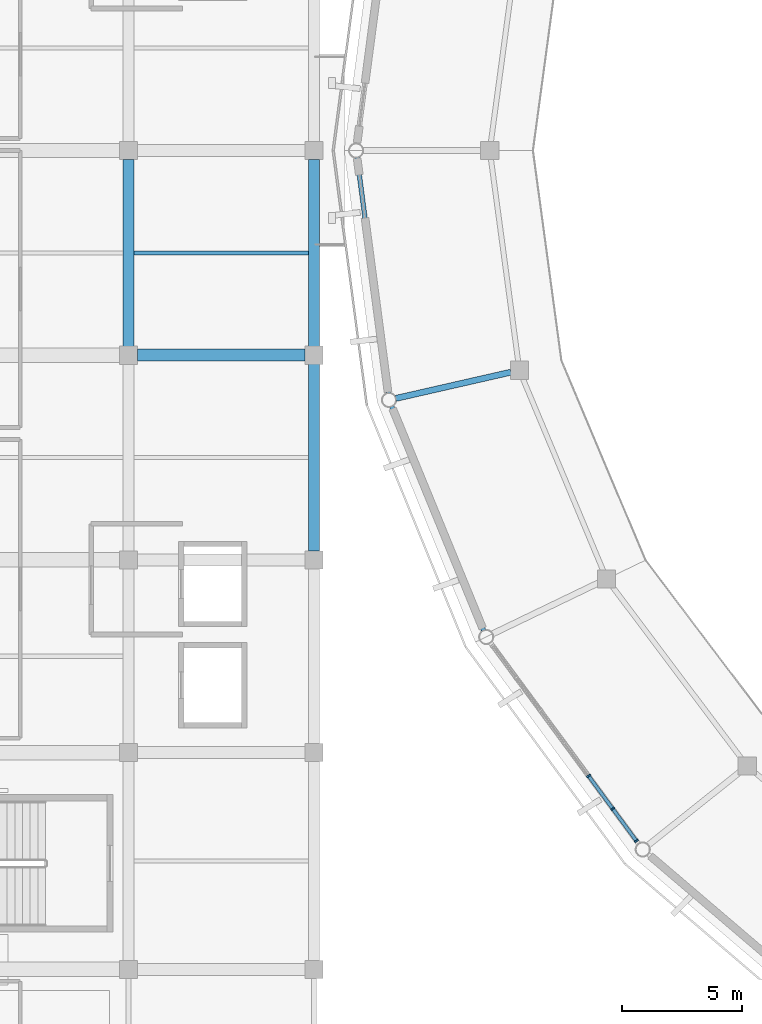
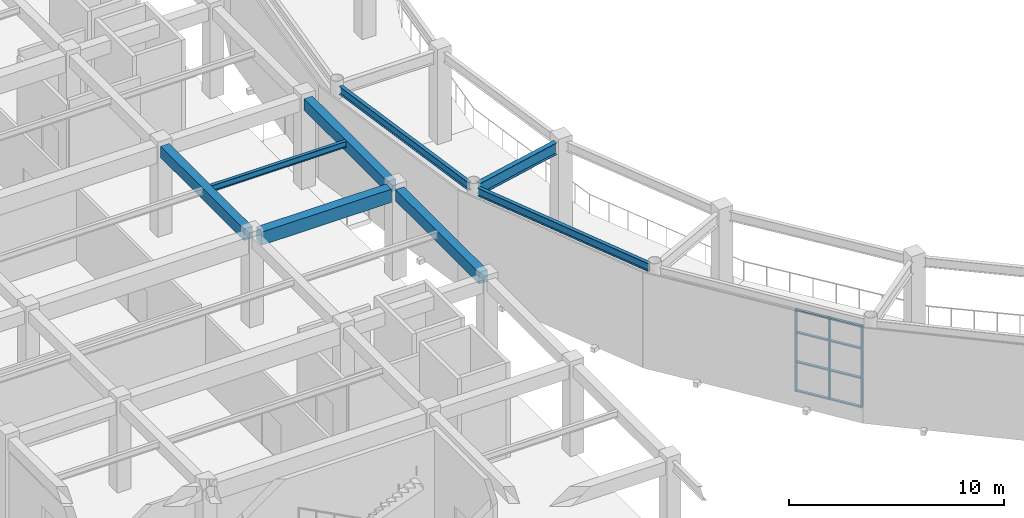
# One storey, part 16 of 70: 11 members, 8 beams, 1 element without a shape of its own.
"""IFC4 building model written with IfcOpenShell, lengths in metres."""

from ifc_helpers import new_model, si_unit, direction, frame, origin, origin_2d, place, context, subcontext, project, spatial, rectangle, i_section, extrude, material, material_profile, profile_set, type_object, element, aggregate, save


model = new_model("IFC4")

# Units and contexts
model_context = context("Model", 3, precision=1e-05, world=origin(), true_north=direction((0.0, 1.0)))
body_context = subcontext(model_context, "Body", "Model", "MODEL_VIEW")
ifc_project = project(units=[si_unit("LENGTHUNIT", "METRE"), si_unit("AREAUNIT", "SQUARE_METRE"), si_unit("VOLUMEUNIT", "CUBIC_METRE"), si_unit("PLANEANGLEUNIT", "RADIAN"), si_unit("MASSUNIT", "GRAM", prefix="KILO")], contexts=[model_context])

# Site, building, storey
site_placement = place(None, origin())
site = spatial("IfcSite", under=ifc_project, at=site_placement, CompositionType="ELEMENT")
building_placement = place(site_placement, origin())
building = spatial("IfcBuilding", under=site, at=building_placement, Name="Cuetzalor Civic Arena", CompositionType="ELEMENT")
storey_placement = place(building_placement, frame((0.0, 0.0, 21.0)))
storey = spatial("IfcBuildingStorey", under=building, at=storey_placement, Name="L04", CompositionType="ELEMENT", Elevation=21.0)

# Beams
ifc_material_1 = material(Name="Concrete C40/50", Category="concrete")
ifc_material_profile_1 = material_profile(ifc_material_1, rectangle(XDim=0.5, YDim=0.75, at=origin_2d()), Name="RC 500x750")
ifc_profile_set_1 = profile_set([ifc_material_profile_1], Name="Concrete C40/50")
beam_type_1 = type_object("IfcBeamType", Name="ConcreteFrameBeam_500x750", PredefinedType="BEAM", material=ifc_profile_set_1)
beam_1_placement = place(storey_placement, frame((-63.635009765625, -8.5, 4.7451171875), z_axis=(1.0, 0.0, 0.0), x_axis=(0.0, 1.0, 0.0)))
element("IfcBeam", 1, at=beam_1_placement, inside=storey, type_object=beam_type_1, Name="Frame Girder V4W-L04-X1103", PredefinedType="BEAM", context=body_context, shape_type="SweptSolid", body=[
    extrude(rectangle(XDim=0.5, YDim=0.75, at=origin_2d()), origin(), (0.0, 0.0, 1.0), 6.969970703125),
])
ifc_material_2 = material(Name="Concrete C40/50", Category="concrete")
ifc_material_profile_2 = material_profile(ifc_material_2, rectangle(XDim=0.449951171875, YDim=0.64990234375, at=origin_2d()), Name="RC 450x650")
ifc_profile_set_2 = profile_set([ifc_material_profile_2], Name="Concrete C40/50")
beam_type_2 = type_object("IfcBeamType", Name="ConcreteTieBeam_450x650", PredefinedType="BEAM", material=ifc_profile_set_2)
for number, where, z_axis, x_axis, name in (
    (2, (-64.0, -8.135009765625, 4.794921875), (0.0, 1.0, 0.0), (-1.0, 0.0, 0.0), "Frame Girder V4W-L04-Y1136"),
    (3, (-56.300048828125, -16.635009765625, 4.794921875), (0.0, 1.0, 0.0), (-1.0, 0.0, 0.0), "Frame Girder V4W-L04-Y1143"),
    (4, (-56.300048828125, -8.135009765625, 4.794921875), (0.0, 1.0, 0.0), (-1.0, 0.0, 0.0), "Frame Girder V4W-L04-Y1144"),
):
    element("IfcBeam", number, at=place(storey_placement, frame(where, z_axis=z_axis, x_axis=x_axis)), inside=storey, type_object=beam_type_2, Name=name, PredefinedType="BEAM", context=body_context, shape_type="SweptSolid", body=[
        extrude(rectangle(XDim=0.449951171875, YDim=0.64990234375, at=origin_2d()), origin(), (0.0, 0.0, 1.0), 7.77001953125),
    ])

# Curtain wall, members
ifc_material_3 = material(Name="Anodised dark bronze aluminium and low-E solar glass", Category="aluminium")
curtain_wall_type = type_object("IfcCurtainWallType", Name="UnitisedCW_10150x4650", PredefinedType="USERDEFINED", material=ifc_material_3)
curtain_wall_placement = place(storey_placement, origin())
curtain_wall = element("IfcCurtainWall", 5, at=curtain_wall_placement, inside=storey, type_object=curtain_wall_type, Name="Drum Triangle Foyer Curtain Wall L04-063", ObjectType="UNITISED CURTAIN WALL", PredefinedType="USERDEFINED")
ifc_material_4 = material(Name="Anodised dark bronze aluminium", Category="aluminium")
ifc_material_profile_3 = material_profile(ifc_material_4, rectangle(XDim=0.070068359375, YDim=0.179931640625, at=origin_2d()), Name="ALU MULLION 70x180")
ifc_profile_set_3 = profile_set([ifc_material_profile_3], Name="Anodised dark bronze aluminium")
member_type_1 = type_object("IfcMemberType", Name="CurtainWallMullion_65x180", PredefinedType="MULLION", material=ifc_profile_set_3)
member_1_placement = place(storey_placement, frame((-42.911865234375, -28.66650390625, 0.0), z_axis=(0.0, 0.0, 1.0), x_axis=(-0.59292931222, 0.805254513002, 0.0)))
member_1 = element("IfcMember", 6, at=member_1_placement, type_object=member_type_1, Name="CW-06 mullion 1", PredefinedType="MULLION", context=body_context, shape_type="SweptSolid", body=[
    extrude(rectangle(XDim=0.070068359375, YDim=0.179931640625, at=origin_2d()), origin(), (0.0, 0.0, 1.0), 4.653076171875),
])
member_2_placement = place(storey_placement, frame((-43.8935546875, -27.333251953125, 0.0), z_axis=(0.0, 0.0, 1.0), x_axis=(-0.59292931222, 0.805254513002, 0.0)))
member_2 = element("IfcMember", 7, at=member_2_placement, type_object=member_type_1, Name="CW-06 mullion 2", PredefinedType="MULLION", context=body_context, shape_type="SweptSolid", body=[
    extrude(rectangle(XDim=0.070068359375, YDim=0.179931640625, at=origin_2d()), origin(), (0.0, 0.0, 1.0), 4.653076171875),
])
member_3_placement = place(storey_placement, frame((-44.89599609375, -25.9716796875, 0.0), z_axis=(0.0, 0.0, 1.0), x_axis=(-0.59292931222, 0.805254513002, 0.0)))
member_3 = element("IfcMember", 8, at=member_3_placement, type_object=member_type_1, Name="CW-06 mullion 3", PredefinedType="MULLION", context=body_context, shape_type="SweptSolid", body=[
    extrude(rectangle(XDim=0.070068359375, YDim=0.179931640625, at=origin_2d()), origin(), (0.0, 0.0, 1.0), 4.653076171875),
])
ifc_material_5 = material(Name="Anodised dark bronze aluminium", Category="aluminium")
ifc_material_profile_4 = material_profile(ifc_material_5, rectangle(XDim=0.139892578125, YDim=0.070068359375, at=origin_2d()), Name="ALU TRANSOM 70x140")
ifc_profile_set_4 = profile_set([ifc_material_profile_4], Name="Anodised dark bronze aluminium")
member_type_2 = type_object("IfcMemberType", Name="CurtainWallTransom_65x140", PredefinedType="USERDEFINED", material=ifc_profile_set_4)
member_4_placement = place(storey_placement, frame((-42.9326171875, -28.63818359375, 0.034912109375), z_axis=(-0.59293115048, 0.805253159442, 0.0), x_axis=(-0.805253159442, -0.59293115048, 0.0)))
member_4 = element("IfcMember", 9, at=member_4_placement, type_object=member_type_2, Name="CW-06 transom 1.1", ObjectType="TRANSOM", PredefinedType="USERDEFINED", context=body_context, shape_type="SweptSolid", body=[
    extrude(rectangle(XDim=0.139892578125, YDim=0.070068359375, at=origin_2d()), origin(), (0.0, 0.0, 1.0), 1.585693359375),
])
member_5_placement = place(storey_placement, frame((-42.9326171875, -28.63818359375, 1.675048828125), z_axis=(-0.59293115048, 0.805253159442, 0.0), x_axis=(-0.805253159442, -0.59293115048, 0.0)))
member_5 = element("IfcMember", 10, at=member_5_placement, type_object=member_type_2, Name="CW-06 transom 1.2", ObjectType="TRANSOM", PredefinedType="USERDEFINED", context=body_context, shape_type="SweptSolid", body=[
    extrude(rectangle(XDim=0.139892578125, YDim=0.070068359375, at=origin_2d()), origin(), (0.0, 0.0, 1.0), 1.585693359375),
])
member_6_placement = place(storey_placement, frame((-42.9326171875, -28.63818359375, 3.35009765625), z_axis=(-0.59293115048, 0.805253159442, 0.0), x_axis=(-0.805253159442, -0.59293115048, 0.0)))
member_6 = element("IfcMember", 11, at=member_6_placement, type_object=member_type_2, Name="CW-06 transom 1.3", ObjectType="TRANSOM", PredefinedType="USERDEFINED", context=body_context, shape_type="SweptSolid", body=[
    extrude(rectangle(XDim=0.139892578125, YDim=0.070068359375, at=origin_2d()), origin(), (0.0, 0.0, 1.0), 1.585693359375),
])
member_7_placement = place(storey_placement, frame((-42.9326171875, -28.63818359375, 4.617919921875), z_axis=(-0.59293115048, 0.805253159442, 0.0), x_axis=(-0.805253159442, -0.59293115048, 0.0)))
member_7 = element("IfcMember", 12, at=member_7_placement, type_object=member_type_2, Name="CW-06 transom 1.4", ObjectType="TRANSOM", PredefinedType="USERDEFINED", context=body_context, shape_type="SweptSolid", body=[
    extrude(rectangle(XDim=0.139892578125, YDim=0.070068359375, at=origin_2d()), origin(), (0.0, 0.0, 1.0), 1.585693359375),
])
member_8_placement = place(storey_placement, frame((-43.914306640625, -27.304931640625, 0.034912109375), z_axis=(-0.592962622822, 0.805229984499, 0.0), x_axis=(-0.805229984499, -0.592962622822, 0.0)))
member_8 = element("IfcMember", 13, at=member_8_placement, type_object=member_type_2, Name="CW-06 transom 2.1", ObjectType="TRANSOM", PredefinedType="USERDEFINED", context=body_context, shape_type="SweptSolid", body=[
    extrude(rectangle(XDim=0.139892578125, YDim=0.070068359375, at=origin_2d()), origin(), (0.0, 0.0, 1.0), 1.62060546875),
])
member_9_placement = place(storey_placement, frame((-43.914306640625, -27.304931640625, 1.675048828125), z_axis=(-0.592962622822, 0.805229984499, 0.0), x_axis=(-0.805229984499, -0.592962622822, 0.0)))
member_9 = element("IfcMember", 14, at=member_9_placement, type_object=member_type_2, Name="CW-06 transom 2.2", ObjectType="TRANSOM", PredefinedType="USERDEFINED", context=body_context, shape_type="SweptSolid", body=[
    extrude(rectangle(XDim=0.139892578125, YDim=0.070068359375, at=origin_2d()), origin(), (0.0, 0.0, 1.0), 1.62060546875),
])
member_10_placement = place(storey_placement, frame((-43.914306640625, -27.304931640625, 3.35009765625), z_axis=(-0.592962622822, 0.805229984499, 0.0), x_axis=(-0.805229984499, -0.592962622822, 0.0)))
member_10 = element("IfcMember", 15, at=member_10_placement, type_object=member_type_2, Name="CW-06 transom 2.3", ObjectType="TRANSOM", PredefinedType="USERDEFINED", context=body_context, shape_type="SweptSolid", body=[
    extrude(rectangle(XDim=0.139892578125, YDim=0.070068359375, at=origin_2d()), origin(), (0.0, 0.0, 1.0), 1.62060546875),
])
member_11_placement = place(storey_placement, frame((-43.914306640625, -27.304931640625, 4.617919921875), z_axis=(-0.592962622822, 0.805229984499, 0.0), x_axis=(-0.805229984499, -0.592962622822, 0.0)))
member_11 = element("IfcMember", 16, at=member_11_placement, type_object=member_type_2, Name="CW-06 transom 2.4", ObjectType="TRANSOM", PredefinedType="USERDEFINED", context=body_context, shape_type="SweptSolid", body=[
    extrude(rectangle(XDim=0.139892578125, YDim=0.070068359375, at=origin_2d()), origin(), (0.0, 0.0, 1.0), 1.62060546875),
])
aggregate(curtain_wall, [member_1, member_2, member_3, member_4, member_5, member_6, member_7, member_8, member_9, member_10, member_11])

# Beams
ifc_material_6 = material(Name="Steel S355", Category="steel")
ifc_material_profile_5 = material_profile(ifc_material_6, i_section(OverallWidth=0.18994140625, OverallDepth=0.45703125, WebThickness=0.009033203125, FlangeThickness=0.014404296875, at=origin_2d()), Name="W460x74")
ifc_profile_set_5 = profile_set([ifc_material_profile_5], Name="Steel S355")
beam_type_3 = type_object("IfcBeamType", Name="FacadeSpandrelBeam_W460", PredefinedType="SPANDREL", material=ifc_profile_set_5)
beam_2_placement = place(storey_placement, frame((-54.511962890625, -0.28759765625, 4.8916015625), z_axis=(0.130901206694, -0.991395417624, 0.0), x_axis=(0.991395417624, 0.130901206694, 0.0)))
element("IfcBeam", 17, at=beam_2_placement, inside=storey, type_object=beam_type_3, Name="Drum Perimeter Spandrel L04-S15", PredefinedType="SPANDREL", context=body_context, shape_type="SweptSolid", body=[
    extrude(i_section(OverallWidth=0.18994140625, OverallDepth=0.45703125, WebThickness=0.009033203125, FlangeThickness=0.014404296875, at=origin_2d()), origin(), (0.0, 0.0, 1.0), 9.8681640625),
])
beam_3_placement = place(storey_placement, frame((-53.072265625, -10.626708984375, 4.8916015625), z_axis=(0.379398599643, -0.925233323324, 0.0), x_axis=(0.925233323324, 0.379398599643, 0.0)))
element("IfcBeam", 18, at=beam_3_placement, inside=storey, type_object=beam_type_3, Name="Drum Perimeter Spandrel L04-S16", PredefinedType="SPANDREL", context=body_context, shape_type="SweptSolid", body=[
    extrude(i_section(OverallWidth=0.18994140625, OverallDepth=0.45703125, WebThickness=0.009033203125, FlangeThickness=0.014404296875, at=origin_2d()), origin(), (0.0, 0.0, 1.0), 10.053955078125),
])
ifc_material_7 = material(Name="Steel S355", Category="steel")
ifc_material_profile_6 = material_profile(ifc_material_7, i_section(OverallWidth=0.1708984375, OverallDepth=0.35498046875, WebThickness=0.007080078125, FlangeThickness=0.01171875, at=origin_2d()), Name="W360x51")
ifc_profile_set_6 = profile_set([ifc_material_profile_6], Name="Steel S355")
beam_type_4 = type_object("IfcBeamType", Name="SecondaryFloorJoist_W360", PredefinedType="JOIST", material=ifc_profile_set_6)
beam_4_placement = place(storey_placement, frame((-63.782958984375, -4.25, 4.9423828125), z_axis=(1.0, 0.0, 0.0), x_axis=(0.0, 1.0, 0.0)))
element("IfcBeam", 19, at=beam_4_placement, inside=storey, type_object=beam_type_4, Name="Secondary Floor Joist V4W-L04-0353", PredefinedType="JOIST", context=body_context, shape_type="SweptSolid", body=[
    extrude(i_section(OverallWidth=0.1708984375, OverallDepth=0.35498046875, WebThickness=0.007080078125, FlangeThickness=0.01171875, at=origin_2d()), origin(), (0.0, 0.0, 1.0), 7.265869140625),
])
ifc_material_8 = material(Name="Steel S355", Category="steel")
ifc_material_profile_7 = material_profile(ifc_material_8, i_section(OverallWidth=0.2529296875, OverallDepth=0.677978515625, WebThickness=0.01171875, FlangeThickness=0.016357421875, at=origin_2d()), Name="W690x125")
ifc_profile_set_7 = profile_set([ifc_material_profile_7], Name="Steel S355")
beam_type_5 = type_object("IfcBeamType", Name="SteelPrimaryGirder_W690", PredefinedType="BEAM", material=ifc_profile_set_7)
beam_5_placement = place(storey_placement, frame((-48.12255859375, -9.20361328125, 4.781005859375), z_axis=(-0.974939153271, -0.222471677792, 0.0), x_axis=(0.222471677792, -0.974939153271, 0.0)))
element("IfcBeam", 20, at=beam_5_placement, inside=storey, type_object=beam_type_5, Name="Drum Radial Girder L04-R16", PredefinedType="BEAM", context=body_context, shape_type="SweptSolid", body=[
    extrude(i_section(OverallWidth=0.2529296875, OverallDepth=0.677978515625, WebThickness=0.01171875, FlangeThickness=0.016357421875, at=origin_2d()), origin(), (0.0, 0.0, 1.0), 4.89990234375),
])

save(model, "model.ifc")
